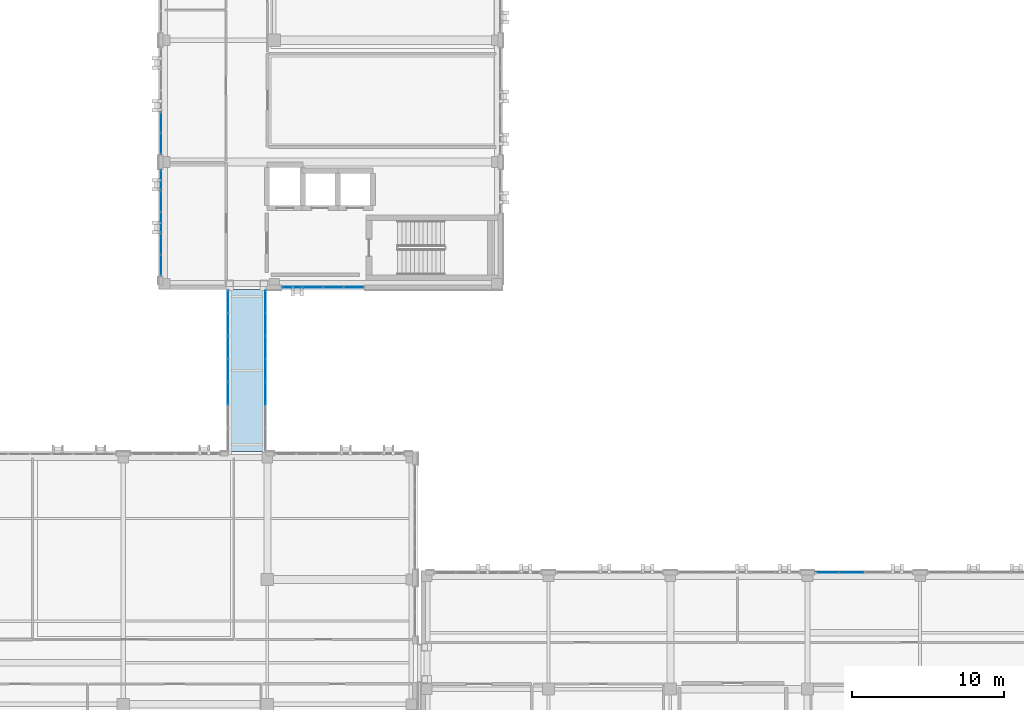
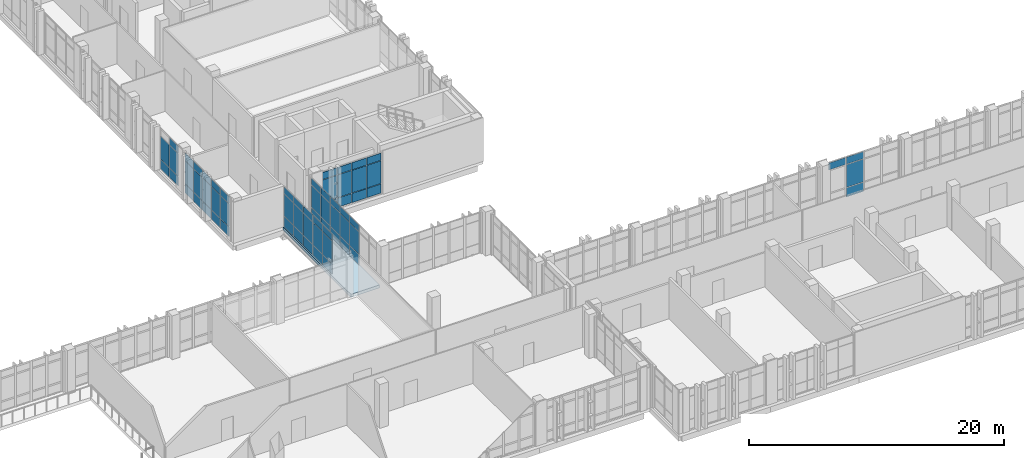
# One storey, part 140 of 193: 66 plates, 1 slab, 6 elements without a shape of their own.
"""IFC4 building model written with IfcOpenShell, lengths in metres."""

import ifcopenshell
import ifcopenshell.guid

model = None  # the IFC model being written
_history = None  # IfcOwnerHistory: only IFC2X3 demands one
_inside = {}  # id of a spatial element -> (the spatial element, [elements in it])
_under = {}  # id of a project, library or spatial element -> (it, [spatial elements below it])
_declared = {}  # id of a project -> (the project, [libraries it declares])
_typed = {}  # id of a type object -> (the type object, [elements of that type])
_made_of = {}  # id of a material, layer set ... -> (it, [elements and type objects made of it])


def new_model(schema):
    """Start an empty IFC model of exactly this schema.

    Asked for "IFC4X3", IfcOpenShell would pick the latest addendum, in which some entities
    have other attributes; the version numbers below select the first issue.
    IFC2X3 requires an IfcOwnerHistory on every rooted entity: one is made here for all.
    """
    global model, _history
    if schema == "IFC4X3":
        model = ifcopenshell.file(schema_version=(4, 3, 0, 0))
    else:
        model = ifcopenshell.file(schema=schema)
    _inside.clear()
    _under.clear()
    _declared.clear()
    _typed.clear()
    _made_of.clear()
    _history = None
    if model.schema == "IFC2X3":
        org = make("IfcOrganization", Name="unknown")
        user = make(
            "IfcPersonAndOrganization",
            ThePerson=make("IfcPerson", FamilyName="unknown"),
            TheOrganization=org,
        )
        app = make(
            "IfcApplication",
            ApplicationDeveloper=org,
            Version="unknown",
            ApplicationFullName="unknown",
            ApplicationIdentifier="unknown",
        )
        _history = make(
            "IfcOwnerHistory",
            OwningUser=user,
            OwningApplication=app,
            ChangeAction="ADDED",
            CreationDate=0,
        )
    return model


def make(cls, **values):
    """One entity of the class cls with the attributes given. An attribute that is None is left unset."""
    return model.create_entity(
        cls, **{name: value for name, value in values.items() if value is not None}
    )


def rooted(cls, **values):
    """An entity with a GlobalId (a new one), such as an element, a storey or a relation."""
    return make(cls, GlobalId=ifcopenshell.guid.new(), OwnerHistory=_history, **values)


def si_unit(unit_type, name, prefix=None):
    """IfcSIUnit, for example si_unit("LENGTHUNIT", "METRE", prefix="MILLI")."""
    return make("IfcSIUnit", UnitType=unit_type, Prefix=prefix, Name=name)


def assignment(units):
    """IfcUnitAssignment: the units of a project."""
    return None if units is None else make("IfcUnitAssignment", Units=units)


def point(xyz):
    """IfcCartesianPoint."""
    return None if xyz is None else make("IfcCartesianPoint", Coordinates=xyz)


def direction(xyz):
    """IfcDirection."""
    return None if xyz is None else make("IfcDirection", DirectionRatios=xyz)


def frame(location, z_axis=None, x_axis=None):
    """IfcAxis2Placement3D, a coordinate frame: its origin and axes. An axis left out is left unset."""
    return make(
        "IfcAxis2Placement3D",
        Location=point(location),
        Axis=direction(z_axis),
        RefDirection=direction(x_axis),
    )


def frame_2d(location, x_axis=None):
    """IfcAxis2Placement2D, a coordinate frame in the plane: its origin and x axis."""
    return make(
        "IfcAxis2Placement2D", Location=point(location), RefDirection=direction(x_axis)
    )


def origin():
    """The frame at (0, 0, 0) with its axes left unset."""
    return frame((0.0, 0.0, 0.0))


def origin_2d():
    """The frame at (0, 0) in the plane with its x axis left unset."""
    return frame_2d((0.0, 0.0))


def place(relative_to, where):
    """IfcLocalPlacement: puts the frame where relative to a parent placement (None: the world)."""
    return make(
        "IfcLocalPlacement", PlacementRelTo=relative_to, RelativePlacement=where
    )


def context(
    kind, dimensions, precision=None, world=None, true_north=None, identifier=None
):
    """IfcGeometricRepresentationContext, for example the 3D "Model" context."""
    return make(
        "IfcGeometricRepresentationContext",
        ContextIdentifier=identifier,
        ContextType=kind,
        CoordinateSpaceDimension=dimensions,
        Precision=precision,
        WorldCoordinateSystem=world,
        TrueNorth=true_north,
    )


def subcontext(parent, identifier, kind, view, scale=None):
    """IfcGeometricRepresentationSubContext, for example "Body" below "Model"."""
    return make(
        "IfcGeometricRepresentationSubContext",
        ContextIdentifier=identifier,
        ContextType=kind,
        ParentContext=parent,
        TargetScale=scale,
        TargetView=view,
    )


def project(units=None, contexts=None):
    """IfcProject with its units and contexts."""
    return rooted(
        "IfcProject",
        Name="project",
        RepresentationContexts=contexts,
        UnitsInContext=assignment(units),
    )


def spatial(cls, under=None, at=None, **own):
    """A site, building, storey or space (cls), placed at a placement, below another one or the project."""
    s = rooted(cls, ObjectPlacement=at, **own)
    if under is not None:
        _under.setdefault(under.id(), (under, []))[1].append(s)
    return s


def polyline(points):
    """IfcPolyline through the points."""
    return make("IfcPolyline", Points=[point(p) for p in points])


def profile(cls, at=None, kind="AREA", **sizes):
    """A parametric profile (cls). Its sizes go by their IFC names, for example OverallWidth=200.0."""
    return make(cls, ProfileType=kind, Position=at, **sizes)


def rectangle(**sizes):
    """IfcRectangleProfileDef."""
    return profile("IfcRectangleProfileDef", **sizes)


def outline(outer, holes=None, kind="AREA"):
    """IfcArbitraryClosedProfileDef: a profile drawn as a closed curve; with holes, ...WithVoids."""
    if holes is None:
        return make("IfcArbitraryClosedProfileDef", ProfileType=kind, OuterCurve=outer)
    return make(
        "IfcArbitraryProfileDefWithVoids",
        ProfileType=kind,
        OuterCurve=outer,
        InnerCurves=holes,
    )


def extrude(swept, where, along, depth):
    """IfcExtrudedAreaSolid: the profile swept, set in the frame where, extruded along a direction by depth."""
    return make(
        "IfcExtrudedAreaSolid",
        SweptArea=swept,
        Position=where,
        ExtrudedDirection=direction(along),
        Depth=depth,
    )


def shape(context_of_items, identifier, shape_type, items):
    """IfcShapeRepresentation: the items that make up one representation, for example the "Body"."""
    return make(
        "IfcShapeRepresentation",
        ContextOfItems=context_of_items,
        RepresentationIdentifier=identifier,
        RepresentationType=shape_type,
        Items=items,
    )


def material(Name=None, Category=None):
    """IfcMaterial."""
    return make("IfcMaterial", Name=Name, Category=Category)


def layer(
    of_material, thickness, ventilated=None, Name=None, Category=None, Priority=None
):
    """IfcMaterialLayer: one layer of a wall or slab, of a material (None: an air gap)."""
    return make(
        "IfcMaterialLayer",
        Material=of_material,
        LayerThickness=thickness,
        IsVentilated=ventilated,
        Name=Name,
        Category=Category,
        Priority=Priority,
    )


def layer_set(layers, Name=None):
    """IfcMaterialLayerSet."""
    return make("IfcMaterialLayerSet", MaterialLayers=layers, LayerSetName=Name)


def made_of(thing, what):
    """Note that an element or type object is made of a material, layer set ...; save() writes the relation."""
    if what is not None:
        _made_of.setdefault(what.id(), (what, []))[1].append(thing)
    return thing


def type_object(cls, material=None, **own):
    """A type object (cls), such as IfcWallType, which elements share."""
    return made_of(rooted(cls, **own), material)


def element(
    cls,
    number,
    at=None,
    inside=None,
    cuts=None,
    type_object=None,
    material=None,
    context=None,
    identifier="Body",
    shape_type=None,
    held_by="IfcProductDefinitionShape",
    body=None,
    shapes=None,
    **own,
):
    """One element of the class cls, such as IfcWall. Its Tag is "e" and its number.

    at: its placement. inside: the storey or other place that contains it. cuts: it is an
    opening in that element (IfcRelVoidsElement). A single representation is given by context,
    identifier, shape_type and body (its items); several are given by shapes. held_by: the class
    of the entity that holds the representations. save() writes the other relations.
    """
    e = rooted(cls, Tag="e%d" % number, ObjectPlacement=at, **own)
    if body is not None:
        shapes = [shape(context, identifier, shape_type, body)]
    if shapes is not None:
        e.Representation = make(held_by, Representations=shapes)
    if inside is not None:
        _inside.setdefault(inside.id(), (inside, []))[1].append(e)
    if cuts is not None:
        rooted(
            "IfcRelVoidsElement", RelatingBuildingElement=cuts, RelatedOpeningElement=e
        )
    if type_object is not None:
        _typed.setdefault(type_object.id(), (type_object, []))[1].append(e)
    return made_of(e, material)


def aggregate(whole, parts):
    """IfcRelAggregates: a whole, such as a stair, and the parts it consists of."""
    return rooted("IfcRelAggregates", RelatingObject=whole, RelatedObjects=parts)


def save(model, path):
    """Write the relations noted so far, then the file.

    IfcRelAggregates (storeys below a building ...), IfcRelContainedInSpatialStructure (elements
    in a storey), IfcRelDefinesByType, IfcRelAssociatesMaterial and IfcRelDeclares: one each for
    every whole, place, type object, material and project.
    """
    for whole, parts in _under.values():
        aggregate(whole, parts)
    for where, things in _inside.values():
        rooted(
            "IfcRelContainedInSpatialStructure",
            RelatedElements=things,
            RelatingStructure=where,
        )
    for kind, things in _typed.values():
        rooted("IfcRelDefinesByType", RelatedObjects=things, RelatingType=kind)
    for what, things in _made_of.values():
        rooted("IfcRelAssociatesMaterial", RelatedObjects=things, RelatingMaterial=what)
    for by, libraries in _declared.values():
        rooted("IfcRelDeclares", RelatingContext=by, RelatedDefinitions=libraries)
    model.write(path)


model = new_model("IFC4")

# Units and contexts
model_context = context("Model", 3, precision=1e-05, world=origin(), true_north=direction((0.0, 1.0)))
body_context = subcontext(model_context, "Body", "Model", "MODEL_VIEW")
ifc_project = project(units=[si_unit("LENGTHUNIT", "METRE"), si_unit("AREAUNIT", "SQUARE_METRE"), si_unit("VOLUMEUNIT", "CUBIC_METRE"), si_unit("PLANEANGLEUNIT", "RADIAN"), si_unit("MASSUNIT", "GRAM", prefix="KILO")], contexts=[model_context])

# Site, building, storey
site_placement = place(None, origin())
site = spatial("IfcSite", under=ifc_project, at=site_placement, CompositionType="ELEMENT")
building_placement = place(site_placement, origin())
building = spatial("IfcBuilding", under=site, at=building_placement, Name="Qalavern Law Courts", CompositionType="ELEMENT")
storey_placement = place(building_placement, frame((0.0, 0.0, 10.199951171875)))
storey = spatial("IfcBuildingStorey", under=building, at=storey_placement, Name="L02", CompositionType="ELEMENT", Elevation=10.199951171875)

# Curtain wall, plates
ifc_material_1 = material(Name="Anodised aluminium and insulated glazing", Category="aluminium")
ifc_layer_1 = layer(ifc_material_1, 0.172119140625)
ifc_layer_set_1 = layer_set([ifc_layer_1], Name="Anodised aluminium and insulated glazing")
curtain_wall_type_1 = type_object("IfcCurtainWallType", Name="ENV-CW-COURT", PredefinedType="USERDEFINED", material=ifc_layer_set_1)
curtain_wall_1_placement = place(storey_placement, origin())
curtain_wall_1 = element("IfcCurtainWall", 1, at=curtain_wall_1_placement, inside=storey, type_object=curtain_wall_type_1, Name="V4 unitised curtain wall L02 west 5", ObjectType="UNITISED CURTAIN WALL", PredefinedType="USERDEFINED")
ifc_material_2 = material(Name="Insulated low-E acoustic glazing", Category="glass")
ifc_layer_2 = layer(ifc_material_2, 0.031982421875)
ifc_layer_set_2 = layer_set([ifc_layer_2], Name="Insulated low-E acoustic glazing")
plate_type_1 = type_object("IfcPlateType", Name="ENV-CWP-32", PredefinedType="CURTAIN_PANEL", material=ifc_layer_set_2)
plate_1_placement = place(storey_placement, frame((84.35498046875, 52.0, 0.048095703125), z_axis=(0.0, 0.0, 1.0), x_axis=(0.0, -1.0, 0.0)))
plate_1 = element("IfcPlate", 2, at=plate_1_placement, type_object=plate_type_1, Name="CW-03 panel 4.1", PredefinedType="CURTAIN_PANEL", context=body_context, shape_type="SweptSolid", body=[
    extrude(rectangle(XDim=1.35205078125, YDim=0.031982421875, at=origin_2d()), origin(), (0.0, 0.0, 1.0), 0.8779296875),
])
plate_2_placement = place(storey_placement, frame((84.35498046875, 52.0, 0.97412109375), z_axis=(0.0, 0.0, 1.0), x_axis=(0.0, -1.0, 0.0)))
plate_2 = element("IfcPlate", 3, at=plate_2_placement, type_object=plate_type_1, Name="CW-03 panel 4.2", PredefinedType="CURTAIN_PANEL", context=body_context, shape_type="SweptSolid", body=[
    extrude(rectangle(XDim=1.35205078125, YDim=0.031982421875, at=origin_2d()), origin(), (0.0, 0.0, 1.0), 2.1669921875),
])
plate_3_placement = place(storey_placement, frame((84.35498046875, 50.612060546875, 0.048095703125), z_axis=(0.0, 0.0, 1.0), x_axis=(0.0, -1.0, 0.0)))
plate_3 = element("IfcPlate", 4, at=plate_3_placement, type_object=plate_type_1, Name="CW-03 panel 5.1", PredefinedType="CURTAIN_PANEL", context=body_context, shape_type="SweptSolid", body=[
    extrude(rectangle(XDim=1.327880859375, YDim=0.031982421875, at=origin_2d()), origin(), (0.0, 0.0, 1.0), 0.8779296875),
])
plate_4_placement = place(storey_placement, frame((84.35498046875, 50.612060546875, 0.97412109375), z_axis=(0.0, 0.0, 1.0), x_axis=(0.0, -1.0, 0.0)))
plate_4 = element("IfcPlate", 5, at=plate_4_placement, type_object=plate_type_1, Name="CW-03 panel 5.2", PredefinedType="CURTAIN_PANEL", context=body_context, shape_type="SweptSolid", body=[
    extrude(rectangle(XDim=1.327880859375, YDim=0.031982421875, at=origin_2d()), origin(), (0.0, 0.0, 1.0), 2.1669921875),
])
plate_5_placement = place(storey_placement, frame((84.35498046875, 50.612060546875, 3.18896484375), z_axis=(0.0, 0.0, 1.0), x_axis=(0.0, -1.0, 0.0)))
plate_5 = element("IfcPlate", 6, at=plate_5_placement, type_object=plate_type_1, Name="CW-03 panel 5.3", PredefinedType="CURTAIN_PANEL", context=body_context, shape_type="SweptSolid", body=[
    extrude(rectangle(XDim=1.327880859375, YDim=0.031982421875, at=origin_2d()), origin(), (0.0, 0.0, 1.0), 0.677978515625),
])
aggregate(curtain_wall_1, [plate_1, plate_2, plate_3, plate_4, plate_5])

curtain_wall_2_placement = place(storey_placement, origin())
curtain_wall_2 = element("IfcCurtainWall", 7, at=curtain_wall_2_placement, inside=storey, type_object=curtain_wall_type_1, Name="V6 unitised curtain wall L02 north 5", ObjectType="UNITISED CURTAIN WALL", PredefinedType="USERDEFINED")
plate_6_placement = place(storey_placement, frame((129.699951171875, 22.445068359375, 0.048095703125), z_axis=(0.0, 0.0, 1.0), x_axis=(-1.0, 0.0, 0.0)))
plate_6 = element("IfcPlate", 8, at=plate_6_placement, type_object=plate_type_1, Name="CW-03 panel 3.1", PredefinedType="CURTAIN_PANEL", context=body_context, shape_type="SweptSolid", body=[
    extrude(rectangle(XDim=1.552001953125, YDim=0.031982421875, at=origin_2d()), origin(), (0.0, 0.0, 1.0), 0.8779296875),
])
plate_7_placement = place(storey_placement, frame((129.699951171875, 22.445068359375, 0.97412109375), z_axis=(0.0, 0.0, 1.0), x_axis=(-1.0, 0.0, 0.0)))
plate_7 = element("IfcPlate", 9, at=plate_7_placement, type_object=plate_type_1, Name="CW-03 panel 3.2", PredefinedType="CURTAIN_PANEL", context=body_context, shape_type="SweptSolid", body=[
    extrude(rectangle(XDim=1.552001953125, YDim=0.031982421875, at=origin_2d()), origin(), (0.0, 0.0, 1.0), 2.1669921875),
])
plate_8_placement = place(storey_placement, frame((129.699951171875, 22.445068359375, 3.18896484375), z_axis=(0.0, 0.0, 1.0), x_axis=(-1.0, 0.0, 0.0)))
plate_8 = element("IfcPlate", 10, at=plate_8_placement, type_object=plate_type_1, Name="CW-03 panel 3.3", PredefinedType="CURTAIN_PANEL", context=body_context, shape_type="SweptSolid", body=[
    extrude(rectangle(XDim=1.552001953125, YDim=0.031982421875, at=origin_2d()), origin(), (0.0, 0.0, 1.0), 0.677978515625),
])
plate_9_placement = place(storey_placement, frame((128.112060546875, 22.445068359375, 3.18896484375), z_axis=(0.0, 0.0, 1.0), x_axis=(-1.0, 0.0, 0.0)))
plate_9 = element("IfcPlate", 11, at=plate_9_placement, type_object=plate_type_1, Name="CW-03 panel 4.3", PredefinedType="CURTAIN_PANEL", context=body_context, shape_type="SweptSolid", body=[
    extrude(rectangle(XDim=1.528076171875, YDim=0.031982421875, at=origin_2d()), origin(), (0.0, 0.0, 1.0), 0.677978515625),
])
aggregate(curtain_wall_2, [plate_6, plate_7, plate_8, plate_9])

ifc_layer_3 = layer(ifc_material_1, 0.14990234375)
ifc_layer_set_3 = layer_set([ifc_layer_3], Name="Anodised aluminium and insulated glazing")
curtain_wall_type_2 = type_object("IfcCurtainWallType", Name="ENV-CW-BRG", PredefinedType="USERDEFINED", material=ifc_layer_set_3)
curtain_wall_3_placement = place(storey_placement, origin())
curtain_wall_3 = element("IfcCurtainWall", 12, at=curtain_wall_3_placement, inside=storey, type_object=curtain_wall_type_2, Name="Bridge BR-V2-V4 glazed curtain wall L02-1", ObjectType="UNITISED CURTAIN WALL", PredefinedType="USERDEFINED")
plate_10_placement = place(storey_placement, frame((88.77490234375, 40.232177734375, 0.048095703125), z_axis=(0.0, 0.0, 1.0), x_axis=(0.0, -1.0, 0.0)))
plate_10 = element("IfcPlate", 13, at=plate_10_placement, type_object=plate_type_1, Name="CW-06 panel 1.1", PredefinedType="CURTAIN_PANEL", context=body_context, shape_type="SweptSolid", body=[
    extrude(rectangle(XDim=1.439453125, YDim=0.031982421875, at=origin_2d()), origin(), (0.0, 0.0, 1.0), 0.97802734375),
])
plate_11_placement = place(storey_placement, frame((88.77490234375, 40.232177734375, 1.07421875), z_axis=(0.0, 0.0, 1.0), x_axis=(0.0, -1.0, 0.0)))
plate_11 = element("IfcPlate", 14, at=plate_11_placement, type_object=plate_type_1, Name="CW-06 panel 1.2", PredefinedType="CURTAIN_PANEL", context=body_context, shape_type="SweptSolid", body=[
    extrude(rectangle(XDim=1.439453125, YDim=0.031982421875, at=origin_2d()), origin(), (0.0, 0.0, 1.0), 2.116943359375),
])
plate_12_placement = place(storey_placement, frame((88.77490234375, 40.232177734375, 3.239013671875), z_axis=(0.0, 0.0, 1.0), x_axis=(0.0, -1.0, 0.0)))
plate_12 = element("IfcPlate", 15, at=plate_12_placement, type_object=plate_type_1, Name="CW-06 panel 1.3", PredefinedType="CURTAIN_PANEL", context=body_context, shape_type="SweptSolid", body=[
    extrude(rectangle(XDim=1.439453125, YDim=0.031982421875, at=origin_2d()), origin(), (0.0, 0.0, 1.0), 0.6279296875),
])
plate_13_placement = place(storey_placement, frame((88.77490234375, 38.73291015625, 0.048095703125), z_axis=(0.0, 0.0, 1.0), x_axis=(0.0, -1.0, 0.0)))
plate_13 = element("IfcPlate", 16, at=plate_13_placement, type_object=plate_type_1, Name="CW-06 panel 2.1", PredefinedType="CURTAIN_PANEL", context=body_context, shape_type="SweptSolid", body=[
    extrude(rectangle(XDim=1.46337890625, YDim=0.031982421875, at=origin_2d()), origin(), (0.0, 0.0, 1.0), 0.97802734375),
])
plate_14_placement = place(storey_placement, frame((88.77490234375, 38.73291015625, 1.07421875), z_axis=(0.0, 0.0, 1.0), x_axis=(0.0, -1.0, 0.0)))
plate_14 = element("IfcPlate", 17, at=plate_14_placement, type_object=plate_type_1, Name="CW-06 panel 2.2", PredefinedType="CURTAIN_PANEL", context=body_context, shape_type="SweptSolid", body=[
    extrude(rectangle(XDim=1.46337890625, YDim=0.031982421875, at=origin_2d()), origin(), (0.0, 0.0, 1.0), 2.116943359375),
])
plate_15_placement = place(storey_placement, frame((88.77490234375, 38.73291015625, 3.239013671875), z_axis=(0.0, 0.0, 1.0), x_axis=(0.0, -1.0, 0.0)))
plate_15 = element("IfcPlate", 18, at=plate_15_placement, type_object=plate_type_1, Name="CW-06 panel 2.3", PredefinedType="CURTAIN_PANEL", context=body_context, shape_type="SweptSolid", body=[
    extrude(rectangle(XDim=1.46337890625, YDim=0.031982421875, at=origin_2d()), origin(), (0.0, 0.0, 1.0), 0.6279296875),
])
plate_16_placement = place(storey_placement, frame((88.77490234375, 37.221435546875, 0.048095703125), z_axis=(0.0, 0.0, 1.0), x_axis=(0.0, -1.0, 0.0)))
plate_16 = element("IfcPlate", 19, at=plate_16_placement, type_object=plate_type_1, Name="CW-06 panel 3.1", PredefinedType="CURTAIN_PANEL", context=body_context, shape_type="SweptSolid", body=[
    extrude(rectangle(XDim=1.46337890625, YDim=0.031982421875, at=origin_2d()), origin(), (0.0, 0.0, 1.0), 0.97802734375),
])
plate_17_placement = place(storey_placement, frame((88.77490234375, 37.221435546875, 1.07421875), z_axis=(0.0, 0.0, 1.0), x_axis=(0.0, -1.0, 0.0)))
plate_17 = element("IfcPlate", 20, at=plate_17_placement, type_object=plate_type_1, Name="CW-06 panel 3.2", PredefinedType="CURTAIN_PANEL", context=body_context, shape_type="SweptSolid", body=[
    extrude(rectangle(XDim=1.46337890625, YDim=0.031982421875, at=origin_2d()), origin(), (0.0, 0.0, 1.0), 2.116943359375),
])
plate_18_placement = place(storey_placement, frame((88.77490234375, 37.221435546875, 3.239013671875), z_axis=(0.0, 0.0, 1.0), x_axis=(0.0, -1.0, 0.0)))
plate_18 = element("IfcPlate", 21, at=plate_18_placement, type_object=plate_type_1, Name="CW-06 panel 3.3", PredefinedType="CURTAIN_PANEL", context=body_context, shape_type="SweptSolid", body=[
    extrude(rectangle(XDim=1.46337890625, YDim=0.031982421875, at=origin_2d()), origin(), (0.0, 0.0, 1.0), 0.6279296875),
])
plate_19_placement = place(storey_placement, frame((88.77490234375, 35.7099609375, 0.048095703125), z_axis=(0.0, 0.0, 1.0), x_axis=(0.0, -1.0, 0.0)))
plate_19 = element("IfcPlate", 22, at=plate_19_placement, type_object=plate_type_1, Name="CW-06 panel 4.1", PredefinedType="CURTAIN_PANEL", context=body_context, shape_type="SweptSolid", body=[
    extrude(rectangle(XDim=1.46337890625, YDim=0.031982421875, at=origin_2d()), origin(), (0.0, 0.0, 1.0), 0.97802734375),
])
plate_20_placement = place(storey_placement, frame((88.77490234375, 35.7099609375, 1.07421875), z_axis=(0.0, 0.0, 1.0), x_axis=(0.0, -1.0, 0.0)))
plate_20 = element("IfcPlate", 23, at=plate_20_placement, type_object=plate_type_1, Name="CW-06 panel 4.2", PredefinedType="CURTAIN_PANEL", context=body_context, shape_type="SweptSolid", body=[
    extrude(rectangle(XDim=1.46337890625, YDim=0.031982421875, at=origin_2d()), origin(), (0.0, 0.0, 1.0), 2.116943359375),
])
plate_21_placement = place(storey_placement, frame((88.77490234375, 35.7099609375, 3.239013671875), z_axis=(0.0, 0.0, 1.0), x_axis=(0.0, -1.0, 0.0)))
plate_21 = element("IfcPlate", 24, at=plate_21_placement, type_object=plate_type_1, Name="CW-06 panel 4.3", PredefinedType="CURTAIN_PANEL", context=body_context, shape_type="SweptSolid", body=[
    extrude(rectangle(XDim=1.46337890625, YDim=0.031982421875, at=origin_2d()), origin(), (0.0, 0.0, 1.0), 0.6279296875),
])
plate_22_placement = place(storey_placement, frame((88.77490234375, 34.198486328125, 0.048095703125), z_axis=(0.0, 0.0, 1.0), x_axis=(0.0, -1.0, 0.0)))
plate_22 = element("IfcPlate", 25, at=plate_22_placement, type_object=plate_type_1, Name="CW-06 panel 5.1", PredefinedType="CURTAIN_PANEL", context=body_context, shape_type="SweptSolid", body=[
    extrude(rectangle(XDim=1.46337890625, YDim=0.031982421875, at=origin_2d()), origin(), (0.0, 0.0, 1.0), 0.97802734375),
])
plate_23_placement = place(storey_placement, frame((88.77490234375, 34.198486328125, 1.07421875), z_axis=(0.0, 0.0, 1.0), x_axis=(0.0, -1.0, 0.0)))
plate_23 = element("IfcPlate", 26, at=plate_23_placement, type_object=plate_type_1, Name="CW-06 panel 5.2", PredefinedType="CURTAIN_PANEL", context=body_context, shape_type="SweptSolid", body=[
    extrude(rectangle(XDim=1.46337890625, YDim=0.031982421875, at=origin_2d()), origin(), (0.0, 0.0, 1.0), 2.116943359375),
])
plate_24_placement = place(storey_placement, frame((88.77490234375, 34.198486328125, 3.239013671875), z_axis=(0.0, 0.0, 1.0), x_axis=(0.0, -1.0, 0.0)))
plate_24 = element("IfcPlate", 27, at=plate_24_placement, type_object=plate_type_1, Name="CW-06 panel 5.3", PredefinedType="CURTAIN_PANEL", context=body_context, shape_type="SweptSolid", body=[
    extrude(rectangle(XDim=1.46337890625, YDim=0.031982421875, at=origin_2d()), origin(), (0.0, 0.0, 1.0), 0.6279296875),
])
aggregate(curtain_wall_3, [plate_10, plate_11, plate_12, plate_13, plate_14, plate_15, plate_16, plate_17, plate_18, plate_19, plate_20, plate_21, plate_22, plate_23, plate_24])

curtain_wall_4_placement = place(storey_placement, origin())
curtain_wall_4 = element("IfcCurtainWall", 28, at=curtain_wall_4_placement, inside=storey, type_object=curtain_wall_type_2, Name="Bridge BR-V2-V4 glazed curtain wall L02-2", ObjectType="UNITISED CURTAIN WALL", PredefinedType="USERDEFINED")
plate_25_placement = place(storey_placement, frame((91.22509765625, 34.198486328125, 0.048095703125), z_axis=(0.0, 0.0, 1.0), x_axis=(0.0, 1.0, 0.0)))
plate_25 = element("IfcPlate", 29, at=plate_25_placement, type_object=plate_type_1, Name="CW-06 panel 3.1", PredefinedType="CURTAIN_PANEL", context=body_context, shape_type="SweptSolid", body=[
    extrude(rectangle(XDim=1.46337890625, YDim=0.031982421875, at=origin_2d()), origin(), (0.0, 0.0, 1.0), 0.97802734375),
])
plate_26_placement = place(storey_placement, frame((91.22509765625, 34.198486328125, 1.07421875), z_axis=(0.0, 0.0, 1.0), x_axis=(0.0, 1.0, 0.0)))
plate_26 = element("IfcPlate", 30, at=plate_26_placement, type_object=plate_type_1, Name="CW-06 panel 3.2", PredefinedType="CURTAIN_PANEL", context=body_context, shape_type="SweptSolid", body=[
    extrude(rectangle(XDim=1.46337890625, YDim=0.031982421875, at=origin_2d()), origin(), (0.0, 0.0, 1.0), 2.116943359375),
])
plate_27_placement = place(storey_placement, frame((91.22509765625, 34.198486328125, 3.239013671875), z_axis=(0.0, 0.0, 1.0), x_axis=(0.0, 1.0, 0.0)))
plate_27 = element("IfcPlate", 31, at=plate_27_placement, type_object=plate_type_1, Name="CW-06 panel 3.3", PredefinedType="CURTAIN_PANEL", context=body_context, shape_type="SweptSolid", body=[
    extrude(rectangle(XDim=1.46337890625, YDim=0.031982421875, at=origin_2d()), origin(), (0.0, 0.0, 1.0), 0.6279296875),
])
plate_28_placement = place(storey_placement, frame((91.22509765625, 35.7099609375, 0.048095703125), z_axis=(0.0, 0.0, 1.0), x_axis=(0.0, 1.0, 0.0)))
plate_28 = element("IfcPlate", 32, at=plate_28_placement, type_object=plate_type_1, Name="CW-06 panel 4.1", PredefinedType="CURTAIN_PANEL", context=body_context, shape_type="SweptSolid", body=[
    extrude(rectangle(XDim=1.46337890625, YDim=0.031982421875, at=origin_2d()), origin(), (0.0, 0.0, 1.0), 0.97802734375),
])
plate_29_placement = place(storey_placement, frame((91.22509765625, 35.7099609375, 1.07421875), z_axis=(0.0, 0.0, 1.0), x_axis=(0.0, 1.0, 0.0)))
plate_29 = element("IfcPlate", 33, at=plate_29_placement, type_object=plate_type_1, Name="CW-06 panel 4.2", PredefinedType="CURTAIN_PANEL", context=body_context, shape_type="SweptSolid", body=[
    extrude(rectangle(XDim=1.46337890625, YDim=0.031982421875, at=origin_2d()), origin(), (0.0, 0.0, 1.0), 2.116943359375),
])
plate_30_placement = place(storey_placement, frame((91.22509765625, 35.7099609375, 3.239013671875), z_axis=(0.0, 0.0, 1.0), x_axis=(0.0, 1.0, 0.0)))
plate_30 = element("IfcPlate", 34, at=plate_30_placement, type_object=plate_type_1, Name="CW-06 panel 4.3", PredefinedType="CURTAIN_PANEL", context=body_context, shape_type="SweptSolid", body=[
    extrude(rectangle(XDim=1.46337890625, YDim=0.031982421875, at=origin_2d()), origin(), (0.0, 0.0, 1.0), 0.6279296875),
])
plate_31_placement = place(storey_placement, frame((91.22509765625, 37.221435546875, 0.048095703125), z_axis=(0.0, 0.0, 1.0), x_axis=(0.0, 1.0, 0.0)))
plate_31 = element("IfcPlate", 35, at=plate_31_placement, type_object=plate_type_1, Name="CW-06 panel 5.1", PredefinedType="CURTAIN_PANEL", context=body_context, shape_type="SweptSolid", body=[
    extrude(rectangle(XDim=1.46337890625, YDim=0.031982421875, at=origin_2d()), origin(), (0.0, 0.0, 1.0), 0.97802734375),
])
plate_32_placement = place(storey_placement, frame((91.22509765625, 37.221435546875, 1.07421875), z_axis=(0.0, 0.0, 1.0), x_axis=(0.0, 1.0, 0.0)))
plate_32 = element("IfcPlate", 36, at=plate_32_placement, type_object=plate_type_1, Name="CW-06 panel 5.2", PredefinedType="CURTAIN_PANEL", context=body_context, shape_type="SweptSolid", body=[
    extrude(rectangle(XDim=1.46337890625, YDim=0.031982421875, at=origin_2d()), origin(), (0.0, 0.0, 1.0), 2.116943359375),
])
plate_33_placement = place(storey_placement, frame((91.22509765625, 37.221435546875, 3.239013671875), z_axis=(0.0, 0.0, 1.0), x_axis=(0.0, 1.0, 0.0)))
plate_33 = element("IfcPlate", 37, at=plate_33_placement, type_object=plate_type_1, Name="CW-06 panel 5.3", PredefinedType="CURTAIN_PANEL", context=body_context, shape_type="SweptSolid", body=[
    extrude(rectangle(XDim=1.46337890625, YDim=0.031982421875, at=origin_2d()), origin(), (0.0, 0.0, 1.0), 0.6279296875),
])
plate_34_placement = place(storey_placement, frame((91.22509765625, 38.73291015625, 0.048095703125), z_axis=(0.0, 0.0, 1.0), x_axis=(0.0, 1.0, 0.0)))
plate_34 = element("IfcPlate", 38, at=plate_34_placement, type_object=plate_type_1, Name="CW-06 panel 6.1", PredefinedType="CURTAIN_PANEL", context=body_context, shape_type="SweptSolid", body=[
    extrude(rectangle(XDim=1.46337890625, YDim=0.031982421875, at=origin_2d()), origin(), (0.0, 0.0, 1.0), 0.97802734375),
])
plate_35_placement = place(storey_placement, frame((91.22509765625, 38.73291015625, 1.07421875), z_axis=(0.0, 0.0, 1.0), x_axis=(0.0, 1.0, 0.0)))
plate_35 = element("IfcPlate", 39, at=plate_35_placement, type_object=plate_type_1, Name="CW-06 panel 6.2", PredefinedType="CURTAIN_PANEL", context=body_context, shape_type="SweptSolid", body=[
    extrude(rectangle(XDim=1.46337890625, YDim=0.031982421875, at=origin_2d()), origin(), (0.0, 0.0, 1.0), 2.116943359375),
])
plate_36_placement = place(storey_placement, frame((91.22509765625, 38.73291015625, 3.239013671875), z_axis=(0.0, 0.0, 1.0), x_axis=(0.0, 1.0, 0.0)))
plate_36 = element("IfcPlate", 40, at=plate_36_placement, type_object=plate_type_1, Name="CW-06 panel 6.3", PredefinedType="CURTAIN_PANEL", context=body_context, shape_type="SweptSolid", body=[
    extrude(rectangle(XDim=1.46337890625, YDim=0.031982421875, at=origin_2d()), origin(), (0.0, 0.0, 1.0), 0.6279296875),
])
plate_37_placement = place(storey_placement, frame((91.22509765625, 40.232177734375, 0.048095703125), z_axis=(0.0, 0.0, 1.0), x_axis=(0.0, 1.0, 0.0)))
plate_37 = element("IfcPlate", 41, at=plate_37_placement, type_object=plate_type_1, Name="CW-06 panel 7.1", PredefinedType="CURTAIN_PANEL", context=body_context, shape_type="SweptSolid", body=[
    extrude(rectangle(XDim=1.439453125, YDim=0.031982421875, at=origin_2d()), origin(), (0.0, 0.0, 1.0), 0.97802734375),
])
plate_38_placement = place(storey_placement, frame((91.22509765625, 40.232177734375, 1.07421875), z_axis=(0.0, 0.0, 1.0), x_axis=(0.0, 1.0, 0.0)))
plate_38 = element("IfcPlate", 42, at=plate_38_placement, type_object=plate_type_1, Name="CW-06 panel 7.2", PredefinedType="CURTAIN_PANEL", context=body_context, shape_type="SweptSolid", body=[
    extrude(rectangle(XDim=1.439453125, YDim=0.031982421875, at=origin_2d()), origin(), (0.0, 0.0, 1.0), 2.116943359375),
])
plate_39_placement = place(storey_placement, frame((91.22509765625, 40.232177734375, 3.239013671875), z_axis=(0.0, 0.0, 1.0), x_axis=(0.0, 1.0, 0.0)))
plate_39 = element("IfcPlate", 43, at=plate_39_placement, type_object=plate_type_1, Name="CW-06 panel 7.3", PredefinedType="CURTAIN_PANEL", context=body_context, shape_type="SweptSolid", body=[
    extrude(rectangle(XDim=1.439453125, YDim=0.031982421875, at=origin_2d()), origin(), (0.0, 0.0, 1.0), 0.6279296875),
])
aggregate(curtain_wall_4, [plate_25, plate_26, plate_27, plate_28, plate_29, plate_30, plate_31, plate_32, plate_33, plate_34, plate_35, plate_36, plate_37, plate_38, plate_39])

curtain_wall_5_placement = place(storey_placement, origin())
curtain_wall_5 = element("IfcCurtainWall", 44, at=curtain_wall_5_placement, inside=storey, type_object=curtain_wall_type_1, Name="V4 unitised curtain wall L02 west 6", ObjectType="UNITISED CURTAIN WALL", PredefinedType="USERDEFINED")
ifc_layer_4 = layer(ifc_material_2, 0.035888671875)
ifc_layer_set_4 = layer_set([ifc_layer_4], Name="Insulated low-E acoustic glazing")
plate_type_2 = type_object("IfcPlateType", Name="ENV-CWP-36", PredefinedType="CURTAIN_PANEL", material=ifc_layer_set_4)
plate_40_placement = place(storey_placement, frame((84.35498046875, 48.18994140625, 0.048095703125), z_axis=(0.0, 0.0, 1.0), x_axis=(0.0, -1.0, 0.0)))
plate_40 = element("IfcPlate", 45, at=plate_40_placement, type_object=plate_type_2, Name="CW-03 panel 1.1", PredefinedType="CURTAIN_PANEL", context=body_context, shape_type="SweptSolid", body=[
    extrude(rectangle(XDim=1.323974609375, YDim=0.035888671875, at=origin_2d()), origin(), (0.0, 0.0, 1.0), 0.8779296875),
])
plate_41_placement = place(storey_placement, frame((84.35498046875, 48.18994140625, 0.97412109375), z_axis=(0.0, 0.0, 1.0), x_axis=(0.0, -1.0, 0.0)))
plate_41 = element("IfcPlate", 46, at=plate_41_placement, type_object=plate_type_2, Name="CW-03 panel 1.2", PredefinedType="CURTAIN_PANEL", context=body_context, shape_type="SweptSolid", body=[
    extrude(rectangle(XDim=1.323974609375, YDim=0.035888671875, at=origin_2d()), origin(), (0.0, 0.0, 1.0), 2.1669921875),
])
plate_42_placement = place(storey_placement, frame((84.35498046875, 48.18994140625, 3.18896484375), z_axis=(0.0, 0.0, 1.0), x_axis=(0.0, -1.0, 0.0)))
plate_42 = element("IfcPlate", 47, at=plate_42_placement, type_object=plate_type_2, Name="CW-03 panel 1.3", PredefinedType="CURTAIN_PANEL", context=body_context, shape_type="SweptSolid", body=[
    extrude(rectangle(XDim=1.323974609375, YDim=0.035888671875, at=origin_2d()), origin(), (0.0, 0.0, 1.0), 0.677978515625),
])
plate_43_placement = place(storey_placement, frame((84.35498046875, 46.805908203125, 0.048095703125), z_axis=(0.0, 0.0, 1.0), x_axis=(0.0, -1.0, 0.0)))
plate_43 = element("IfcPlate", 48, at=plate_43_placement, type_object=plate_type_2, Name="CW-03 panel 2.1", PredefinedType="CURTAIN_PANEL", context=body_context, shape_type="SweptSolid", body=[
    extrude(rectangle(XDim=1.347900390625, YDim=0.035888671875, at=origin_2d()), origin(), (0.0, 0.0, 1.0), 0.8779296875),
])
plate_44_placement = place(storey_placement, frame((84.35498046875, 46.805908203125, 0.97412109375), z_axis=(0.0, 0.0, 1.0), x_axis=(0.0, -1.0, 0.0)))
plate_44 = element("IfcPlate", 49, at=plate_44_placement, type_object=plate_type_2, Name="CW-03 panel 2.2", PredefinedType="CURTAIN_PANEL", context=body_context, shape_type="SweptSolid", body=[
    extrude(rectangle(XDim=1.347900390625, YDim=0.035888671875, at=origin_2d()), origin(), (0.0, 0.0, 1.0), 2.1669921875),
])
plate_45_placement = place(storey_placement, frame((84.35498046875, 46.805908203125, 3.18896484375), z_axis=(0.0, 0.0, 1.0), x_axis=(0.0, -1.0, 0.0)))
plate_45 = element("IfcPlate", 50, at=plate_45_placement, type_object=plate_type_2, Name="CW-03 panel 2.3", PredefinedType="CURTAIN_PANEL", context=body_context, shape_type="SweptSolid", body=[
    extrude(rectangle(XDim=1.347900390625, YDim=0.035888671875, at=origin_2d()), origin(), (0.0, 0.0, 1.0), 0.677978515625),
])
plate_46_placement = place(storey_placement, frame((84.35498046875, 45.409912109375, 0.048095703125), z_axis=(0.0, 0.0, 1.0), x_axis=(0.0, -1.0, 0.0)))
plate_46 = element("IfcPlate", 51, at=plate_46_placement, type_object=plate_type_2, Name="CW-03 panel 3.1", PredefinedType="CURTAIN_PANEL", context=body_context, shape_type="SweptSolid", body=[
    extrude(rectangle(XDim=1.347900390625, YDim=0.035888671875, at=origin_2d()), origin(), (0.0, 0.0, 1.0), 0.8779296875),
])
plate_47_placement = place(storey_placement, frame((84.35498046875, 45.409912109375, 0.97412109375), z_axis=(0.0, 0.0, 1.0), x_axis=(0.0, -1.0, 0.0)))
plate_47 = element("IfcPlate", 52, at=plate_47_placement, type_object=plate_type_2, Name="CW-03 panel 3.2", PredefinedType="CURTAIN_PANEL", context=body_context, shape_type="SweptSolid", body=[
    extrude(rectangle(XDim=1.347900390625, YDim=0.035888671875, at=origin_2d()), origin(), (0.0, 0.0, 1.0), 2.1669921875),
])
plate_48_placement = place(storey_placement, frame((84.35498046875, 45.409912109375, 3.18896484375), z_axis=(0.0, 0.0, 1.0), x_axis=(0.0, -1.0, 0.0)))
plate_48 = element("IfcPlate", 53, at=plate_48_placement, type_object=plate_type_2, Name="CW-03 panel 3.3", PredefinedType="CURTAIN_PANEL", context=body_context, shape_type="SweptSolid", body=[
    extrude(rectangle(XDim=1.347900390625, YDim=0.035888671875, at=origin_2d()), origin(), (0.0, 0.0, 1.0), 0.677978515625),
])
plate_49_placement = place(storey_placement, frame((84.35498046875, 44.013916015625, 0.048095703125), z_axis=(0.0, 0.0, 1.0), x_axis=(0.0, -1.0, 0.0)))
plate_49 = element("IfcPlate", 54, at=plate_49_placement, type_object=plate_type_2, Name="CW-03 panel 4.1", PredefinedType="CURTAIN_PANEL", context=body_context, shape_type="SweptSolid", body=[
    extrude(rectangle(XDim=1.347900390625, YDim=0.035888671875, at=origin_2d()), origin(), (0.0, 0.0, 1.0), 0.8779296875),
])
plate_50_placement = place(storey_placement, frame((84.35498046875, 44.013916015625, 0.97412109375), z_axis=(0.0, 0.0, 1.0), x_axis=(0.0, -1.0, 0.0)))
plate_50 = element("IfcPlate", 55, at=plate_50_placement, type_object=plate_type_2, Name="CW-03 panel 4.2", PredefinedType="CURTAIN_PANEL", context=body_context, shape_type="SweptSolid", body=[
    extrude(rectangle(XDim=1.347900390625, YDim=0.035888671875, at=origin_2d()), origin(), (0.0, 0.0, 1.0), 2.1669921875),
])
plate_51_placement = place(storey_placement, frame((84.35498046875, 44.013916015625, 3.18896484375), z_axis=(0.0, 0.0, 1.0), x_axis=(0.0, -1.0, 0.0)))
plate_51 = element("IfcPlate", 56, at=plate_51_placement, type_object=plate_type_2, Name="CW-03 panel 4.3", PredefinedType="CURTAIN_PANEL", context=body_context, shape_type="SweptSolid", body=[
    extrude(rectangle(XDim=1.347900390625, YDim=0.035888671875, at=origin_2d()), origin(), (0.0, 0.0, 1.0), 0.677978515625),
])
plate_52_placement = place(storey_placement, frame((84.35498046875, 42.6298828125, 0.048095703125), z_axis=(0.0, 0.0, 1.0), x_axis=(0.0, -1.0, 0.0)))
plate_52 = element("IfcPlate", 57, at=plate_52_placement, type_object=plate_type_2, Name="CW-03 panel 5.1", PredefinedType="CURTAIN_PANEL", context=body_context, shape_type="SweptSolid", body=[
    extrude(rectangle(XDim=1.323974609375, YDim=0.035888671875, at=origin_2d()), origin(), (0.0, 0.0, 1.0), 0.8779296875),
])
plate_53_placement = place(storey_placement, frame((84.35498046875, 42.6298828125, 0.97412109375), z_axis=(0.0, 0.0, 1.0), x_axis=(0.0, -1.0, 0.0)))
plate_53 = element("IfcPlate", 58, at=plate_53_placement, type_object=plate_type_2, Name="CW-03 panel 5.2", PredefinedType="CURTAIN_PANEL", context=body_context, shape_type="SweptSolid", body=[
    extrude(rectangle(XDim=1.323974609375, YDim=0.035888671875, at=origin_2d()), origin(), (0.0, 0.0, 1.0), 2.1669921875),
])
plate_54_placement = place(storey_placement, frame((84.35498046875, 42.6298828125, 3.18896484375), z_axis=(0.0, 0.0, 1.0), x_axis=(0.0, -1.0, 0.0)))
plate_54 = element("IfcPlate", 59, at=plate_54_placement, type_object=plate_type_2, Name="CW-03 panel 5.3", PredefinedType="CURTAIN_PANEL", context=body_context, shape_type="SweptSolid", body=[
    extrude(rectangle(XDim=1.323974609375, YDim=0.035888671875, at=origin_2d()), origin(), (0.0, 0.0, 1.0), 0.677978515625),
])
aggregate(curtain_wall_5, [plate_40, plate_41, plate_42, plate_43, plate_44, plate_45, plate_46, plate_47, plate_48, plate_49, plate_50, plate_51, plate_52, plate_53, plate_54])

curtain_wall_6_placement = place(storey_placement, origin())
curtain_wall_6 = element("IfcCurtainWall", 60, at=curtain_wall_6_placement, inside=storey, type_object=curtain_wall_type_1, Name="V4 unitised curtain wall L02 south 1", ObjectType="UNITISED CURTAIN WALL", PredefinedType="USERDEFINED")
ifc_layer_5 = layer(ifc_material_2, 0.052001953125)
ifc_layer_set_5 = layer_set([ifc_layer_5], Name="Insulated low-E acoustic glazing")
plate_type_3 = type_object("IfcPlateType", Name="ENV-CWP-52", PredefinedType="CURTAIN_PANEL", material=ifc_layer_set_5)
plate_55_placement = place(storey_placement, frame((92.987060546875, 41.175048828125, 0.048095703125), z_axis=(0.0, 0.0, 1.0), x_axis=(1.0, 0.0, 0.0)))
plate_55 = element("IfcPlate", 61, at=plate_55_placement, type_object=plate_type_3, Name="CW-03 panel 1.1", PredefinedType="CURTAIN_PANEL", context=body_context, shape_type="SweptSolid", body=[
    extrude(rectangle(XDim=1.278076171875, YDim=0.052001953125, at=origin_2d()), origin(), (0.0, 0.0, 1.0), 0.8779296875),
])
plate_56_placement = place(storey_placement, frame((92.987060546875, 41.175048828125, 0.97412109375), z_axis=(0.0, 0.0, 1.0), x_axis=(1.0, 0.0, 0.0)))
plate_56 = element("IfcPlate", 62, at=plate_56_placement, type_object=plate_type_3, Name="CW-03 panel 1.2", PredefinedType="CURTAIN_PANEL", context=body_context, shape_type="SweptSolid", body=[
    extrude(rectangle(XDim=1.278076171875, YDim=0.052001953125, at=origin_2d()), origin(), (0.0, 0.0, 1.0), 2.1669921875),
])
plate_57_placement = place(storey_placement, frame((92.987060546875, 41.175048828125, 3.18896484375), z_axis=(0.0, 0.0, 1.0), x_axis=(1.0, 0.0, 0.0)))
plate_57 = element("IfcPlate", 63, at=plate_57_placement, type_object=plate_type_3, Name="CW-03 panel 1.3", PredefinedType="CURTAIN_PANEL", context=body_context, shape_type="SweptSolid", body=[
    extrude(rectangle(XDim=1.278076171875, YDim=0.052001953125, at=origin_2d()), origin(), (0.0, 0.0, 1.0), 0.677978515625),
])
plate_58_placement = place(storey_placement, frame((94.324951171875, 41.175048828125, 0.048095703125), z_axis=(0.0, 0.0, 1.0), x_axis=(1.0, 0.0, 0.0)))
plate_58 = element("IfcPlate", 64, at=plate_58_placement, type_object=plate_type_3, Name="CW-03 panel 2.1", PredefinedType="CURTAIN_PANEL", context=body_context, shape_type="SweptSolid", body=[
    extrude(rectangle(XDim=1.302001953125, YDim=0.052001953125, at=origin_2d()), origin(), (0.0, 0.0, 1.0), 0.8779296875),
])
plate_59_placement = place(storey_placement, frame((94.324951171875, 41.175048828125, 0.97412109375), z_axis=(0.0, 0.0, 1.0), x_axis=(1.0, 0.0, 0.0)))
plate_59 = element("IfcPlate", 65, at=plate_59_placement, type_object=plate_type_3, Name="CW-03 panel 2.2", PredefinedType="CURTAIN_PANEL", context=body_context, shape_type="SweptSolid", body=[
    extrude(rectangle(XDim=1.302001953125, YDim=0.052001953125, at=origin_2d()), origin(), (0.0, 0.0, 1.0), 2.1669921875),
])
plate_60_placement = place(storey_placement, frame((94.324951171875, 41.175048828125, 3.18896484375), z_axis=(0.0, 0.0, 1.0), x_axis=(1.0, 0.0, 0.0)))
plate_60 = element("IfcPlate", 66, at=plate_60_placement, type_object=plate_type_3, Name="CW-03 panel 2.3", PredefinedType="CURTAIN_PANEL", context=body_context, shape_type="SweptSolid", body=[
    extrude(rectangle(XDim=1.302001953125, YDim=0.052001953125, at=origin_2d()), origin(), (0.0, 0.0, 1.0), 0.677978515625),
])
plate_61_placement = place(storey_placement, frame((95.675048828125, 41.175048828125, 0.048095703125), z_axis=(0.0, 0.0, 1.0), x_axis=(1.0, 0.0, 0.0)))
plate_61 = element("IfcPlate", 67, at=plate_61_placement, type_object=plate_type_3, Name="CW-03 panel 3.1", PredefinedType="CURTAIN_PANEL", context=body_context, shape_type="SweptSolid", body=[
    extrude(rectangle(XDim=1.302001953125, YDim=0.052001953125, at=origin_2d()), origin(), (0.0, 0.0, 1.0), 0.8779296875),
])
plate_62_placement = place(storey_placement, frame((95.675048828125, 41.175048828125, 0.97412109375), z_axis=(0.0, 0.0, 1.0), x_axis=(1.0, 0.0, 0.0)))
plate_62 = element("IfcPlate", 68, at=plate_62_placement, type_object=plate_type_3, Name="CW-03 panel 3.2", PredefinedType="CURTAIN_PANEL", context=body_context, shape_type="SweptSolid", body=[
    extrude(rectangle(XDim=1.302001953125, YDim=0.052001953125, at=origin_2d()), origin(), (0.0, 0.0, 1.0), 2.1669921875),
])
plate_63_placement = place(storey_placement, frame((95.675048828125, 41.175048828125, 3.18896484375), z_axis=(0.0, 0.0, 1.0), x_axis=(1.0, 0.0, 0.0)))
plate_63 = element("IfcPlate", 69, at=plate_63_placement, type_object=plate_type_3, Name="CW-03 panel 3.3", PredefinedType="CURTAIN_PANEL", context=body_context, shape_type="SweptSolid", body=[
    extrude(rectangle(XDim=1.302001953125, YDim=0.052001953125, at=origin_2d()), origin(), (0.0, 0.0, 1.0), 0.677978515625),
])
plate_64_placement = place(storey_placement, frame((97.012939453125, 41.175048828125, 0.048095703125), z_axis=(0.0, 0.0, 1.0), x_axis=(1.0, 0.0, 0.0)))
plate_64 = element("IfcPlate", 70, at=plate_64_placement, type_object=plate_type_3, Name="CW-03 panel 4.1", PredefinedType="CURTAIN_PANEL", context=body_context, shape_type="SweptSolid", body=[
    extrude(rectangle(XDim=1.278076171875, YDim=0.052001953125, at=origin_2d()), origin(), (0.0, 0.0, 1.0), 0.8779296875),
])
plate_65_placement = place(storey_placement, frame((97.012939453125, 41.175048828125, 0.97412109375), z_axis=(0.0, 0.0, 1.0), x_axis=(1.0, 0.0, 0.0)))
plate_65 = element("IfcPlate", 71, at=plate_65_placement, type_object=plate_type_3, Name="CW-03 panel 4.2", PredefinedType="CURTAIN_PANEL", context=body_context, shape_type="SweptSolid", body=[
    extrude(rectangle(XDim=1.278076171875, YDim=0.052001953125, at=origin_2d()), origin(), (0.0, 0.0, 1.0), 2.1669921875),
])
plate_66_placement = place(storey_placement, frame((97.012939453125, 41.175048828125, 3.18896484375), z_axis=(0.0, 0.0, 1.0), x_axis=(1.0, 0.0, 0.0)))
plate_66 = element("IfcPlate", 72, at=plate_66_placement, type_object=plate_type_3, Name="CW-03 panel 4.3", PredefinedType="CURTAIN_PANEL", context=body_context, shape_type="SweptSolid", body=[
    extrude(rectangle(XDim=1.278076171875, YDim=0.052001953125, at=origin_2d()), origin(), (0.0, 0.0, 1.0), 0.677978515625),
])
aggregate(curtain_wall_6, [plate_55, plate_56, plate_57, plate_58, plate_59, plate_60, plate_61, plate_62, plate_63, plate_64, plate_65, plate_66])

# Slab
ifc_material_3 = material(Name="Concrete C40/50", Category="concrete")
ifc_layer_6 = layer(ifc_material_3, 0.2900390625)
ifc_layer_set_6 = layer_set([ifc_layer_6], Name="Concrete C40/50")
slab_type = type_object("IfcSlabType", Name="STR-SLB-L02-290", PredefinedType="FLOOR", material=ifc_layer_set_6)
slab_placement = place(storey_placement, frame((0.0, 0.0, -0.2900390625)))
element("IfcSlab", 73, at=slab_placement, inside=storey, type_object=slab_type, Name="Bridge BR-V2-V4 deck slab L02", PredefinedType="FLOOR", context=body_context, shape_type="SweptSolid", body=[
    extrude(outline(polyline([(88.699951171875, 30.39990234375), (91.300048828125, 30.39990234375), (91.300048828125, 41.02001953125), (88.699951171875, 41.02001953125), (88.699951171875, 30.39990234375)])), origin(), (0.0, 0.0, 1.0), 0.2900390625),
])

save(model, "model.ifc")
